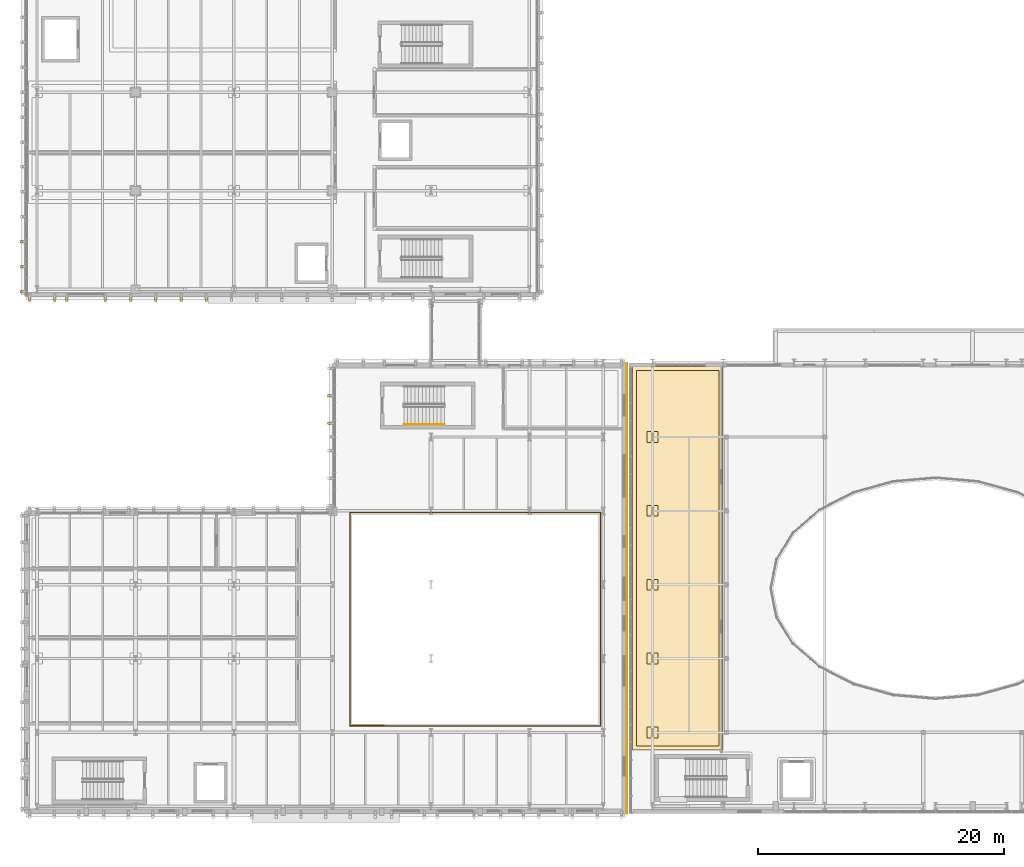
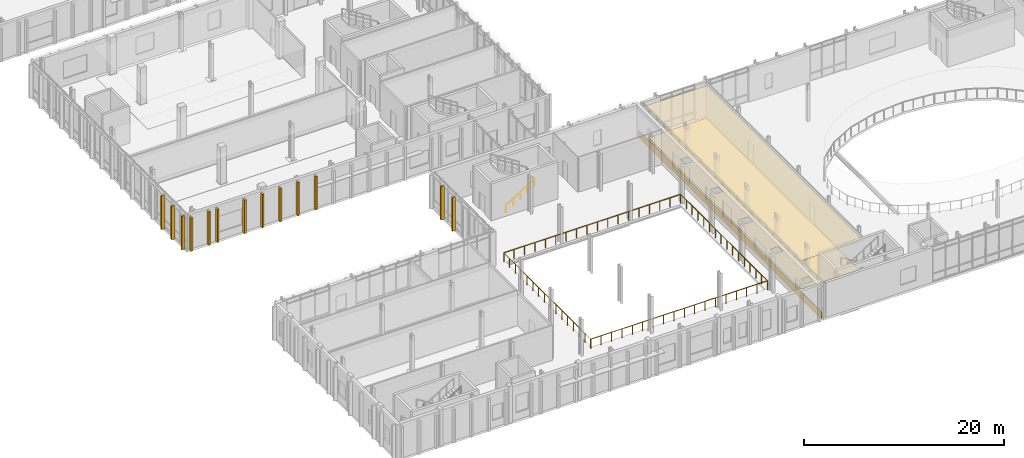
# One storey, part 82 of 100: 16 coverings, 3 railings.
"""IFC4 building model written with IfcOpenShell, lengths in metres."""

from ifc_helpers import new_model, si_unit, direction, frame, frame_2d, origin, origin_2d, place, context, subcontext, project, spatial, polyline, rectangle, circle, outline, extrude, material, layer, layer_set, type_object, element, save


model = new_model("IFC4")

# Units and contexts
model_context = context("Model", 3, precision=1e-05, world=origin(), true_north=direction((0.0, 1.0)))
body_context = subcontext(model_context, "Body", "Model", "MODEL_VIEW")
ifc_project = project(units=[si_unit("LENGTHUNIT", "METRE"), si_unit("AREAUNIT", "SQUARE_METRE"), si_unit("VOLUMEUNIT", "CUBIC_METRE"), si_unit("PLANEANGLEUNIT", "RADIAN"), si_unit("MASSUNIT", "GRAM", prefix="KILO")], contexts=[model_context])

# Site, building, storey
site_placement = place(None, origin())
site = spatial("IfcSite", under=ifc_project, at=site_placement, CompositionType="ELEMENT")
building_placement = place(site_placement, origin())
building = spatial("IfcBuilding", under=site, at=building_placement, Name="Cymarion Research Institute", CompositionType="ELEMENT")
storey_placement = place(building_placement, frame((0.0, 0.0, 4.800048828125)))
storey = spatial("IfcBuildingStorey", under=building, at=storey_placement, Name="L01", CompositionType="ELEMENT", Elevation=4.800048828125)

# Covering
ifc_material_1 = material(Name="Micro-perforated mineral acoustic ceiling tile", Category="gypsum")
ifc_layer_1 = layer(ifc_material_1, 0.030029296875)
ifc_layer_set_1 = layer_set([ifc_layer_1], Name="Micro-perforated mineral acoustic ceiling tile")
covering_type_1 = type_object("IfcCoveringType", Name="ACOUSTIC MICRO-PERFORATED SUSPENDED CEILING CLG-01", PredefinedType="CEILING", material=ifc_layer_set_1)
covering_1_placement = place(storey_placement, frame((0.0, 0.0, 3.699951171875)))
element("IfcCovering", 1, at=covering_1_placement, inside=storey, type_object=covering_type_1, Name="L01 L01 West Interdisciplinary Bioinformatics Lab & Studio acoustic ceiling", PredefinedType="CEILING", context=body_context, shape_type="SweptSolid", body=[
    extrude(outline(polyline([(62.31494140625, 41.215087890625), (62.31494140625, 10.0849609375), (54.985107421875, 10.0849609375), (54.985107421875, 41.215087890625), (62.31494140625, 41.215087890625)])), origin(), (0.0, 0.0, 1.0), 0.030029296875),
])

# Railings
ifc_material_2 = material(Name="Steel S355", Category="steel")
railing_type_1 = type_object("IfcRailingType", Name="LAMINATED GLASS AND STEEL BALUSTRADE BAL1 1120MM", PredefinedType="BALUSTRADE", material=ifc_material_2)
railing_1_placement = place(storey_placement, frame((32.02001953125, 12.02001953125, 0.0)))
element("IfcRailing", 2, at=railing_1_placement, inside=storey, type_object=railing_type_1, Name="L01 V3 Lecture Hall balcony guard 1", PredefinedType="BALUSTRADE", context=body_context, shape_type="SweptSolid", body=[
    extrude(circle(Radius=0.02392578125, at=origin_2d()), frame((0.0, 0.0, 1.09619140625), z_axis=(0.0, 1.0, 0.0), x_axis=(-1.0, 0.0, 0.0)), (0.0, 0.0, 1.0), 17.35986328125),
    extrude(circle(Radius=0.02392578125, at=origin_2d()), frame((0.0, 17.35986328125, 1.09619140625), z_axis=(1.0, 0.0, 0.0), x_axis=(0.0, 1.0, 0.0)), (0.0, 0.0, 1.0), 20.35986328125),
    extrude(circle(Radius=0.02099609375, at=origin_2d()), origin(), (0.0, 0.0, 1.0), 1.072021484375),
    extrude(circle(Radius=0.02099609375, at=origin_2d()), frame((0.0, 1.1572265625, 0.0)), (0.0, 0.0, 1.0), 1.072021484375),
    extrude(circle(Radius=0.02099609375, at=origin_2d()), frame((0.0, 2.314697265625, 0.0)), (0.0, 0.0, 1.0), 1.072021484375),
    extrude(circle(Radius=0.02099609375, at=origin_2d()), frame((0.0, 3.471923828125, 0.0)), (0.0, 0.0, 1.0), 1.072021484375),
    extrude(circle(Radius=0.02099609375, at=origin_2d()), frame((0.0, 4.62939453125, 0.0)), (0.0, 0.0, 1.0), 1.072021484375),
    extrude(circle(Radius=0.02099609375, at=origin_2d()), frame((0.0, 5.78662109375, 0.0)), (0.0, 0.0, 1.0), 1.072021484375),
    extrude(circle(Radius=0.02099609375, at=origin_2d()), frame((0.0, 6.94384765625, 0.0)), (0.0, 0.0, 1.0), 1.072021484375),
    extrude(circle(Radius=0.02099609375, at=origin_2d()), frame((0.0, 8.101318359375, 0.0)), (0.0, 0.0, 1.0), 1.072021484375),
    extrude(circle(Radius=0.02099609375, at=origin_2d()), frame((0.0, 9.258544921875, 0.0)), (0.0, 0.0, 1.0), 1.072021484375),
    extrude(circle(Radius=0.02099609375, at=origin_2d()), frame((0.0, 10.416015625, 0.0)), (0.0, 0.0, 1.0), 1.072021484375),
    extrude(circle(Radius=0.02099609375, at=origin_2d()), frame((0.0, 11.5732421875, 0.0)), (0.0, 0.0, 1.0), 1.072021484375),
    extrude(circle(Radius=0.02099609375, at=origin_2d()), frame((0.0, 12.73046875, 0.0)), (0.0, 0.0, 1.0), 1.072021484375),
    extrude(circle(Radius=0.02099609375, at=origin_2d()), frame((0.0, 13.887939453125, 0.0)), (0.0, 0.0, 1.0), 1.072021484375),
    extrude(circle(Radius=0.02099609375, at=origin_2d()), frame((0.0, 15.045166015625, 0.0)), (0.0, 0.0, 1.0), 1.072021484375),
    extrude(circle(Radius=0.02099609375, at=origin_2d()), frame((0.0, 16.20263671875, 0.0)), (0.0, 0.0, 1.0), 1.072021484375),
    extrude(circle(Radius=0.02099609375, at=origin_2d()), frame((0.0, 17.35986328125, 0.0)), (0.0, 0.0, 1.0), 1.072021484375),
    extrude(circle(Radius=0.02099609375, at=origin_2d()), frame((1.19775390625, 17.35986328125, 0.0)), (0.0, 0.0, 1.0), 1.072021484375),
    extrude(circle(Radius=0.02099609375, at=origin_2d()), frame((2.395263671875, 17.35986328125, 0.0)), (0.0, 0.0, 1.0), 1.072021484375),
    extrude(circle(Radius=0.02099609375, at=origin_2d()), frame((3.593017578125, 17.35986328125, 0.0)), (0.0, 0.0, 1.0), 1.072021484375),
    extrude(circle(Radius=0.02099609375, at=origin_2d()), frame((4.79052734375, 17.35986328125, 0.0)), (0.0, 0.0, 1.0), 1.072021484375),
    extrude(circle(Radius=0.02099609375, at=origin_2d()), frame((5.98828125, 17.35986328125, 0.0)), (0.0, 0.0, 1.0), 1.072021484375),
    extrude(circle(Radius=0.02099609375, at=origin_2d()), frame((7.185791015625, 17.35986328125, 0.0)), (0.0, 0.0, 1.0), 1.072021484375),
    extrude(circle(Radius=0.02099609375, at=origin_2d()), frame((8.383544921875, 17.35986328125, 0.0)), (0.0, 0.0, 1.0), 1.072021484375),
    extrude(circle(Radius=0.02099609375, at=origin_2d()), frame((9.5810546875, 17.35986328125, 0.0)), (0.0, 0.0, 1.0), 1.072021484375),
    extrude(circle(Radius=0.02099609375, at=origin_2d()), frame((10.77880859375, 17.35986328125, 0.0)), (0.0, 0.0, 1.0), 1.072021484375),
    extrude(circle(Radius=0.02099609375, at=origin_2d()), frame((11.976318359375, 17.35986328125, 0.0)), (0.0, 0.0, 1.0), 1.072021484375),
    extrude(circle(Radius=0.02099609375, at=origin_2d()), frame((13.174072265625, 17.35986328125, 0.0)), (0.0, 0.0, 1.0), 1.072021484375),
    extrude(circle(Radius=0.02099609375, at=origin_2d()), frame((14.37158203125, 17.35986328125, 0.0)), (0.0, 0.0, 1.0), 1.072021484375),
    extrude(circle(Radius=0.02099609375, at=origin_2d()), frame((15.5693359375, 17.35986328125, 0.0)), (0.0, 0.0, 1.0), 1.072021484375),
    extrude(circle(Radius=0.02099609375, at=origin_2d()), frame((16.766845703125, 17.35986328125, 0.0)), (0.0, 0.0, 1.0), 1.072021484375),
    extrude(circle(Radius=0.02099609375, at=origin_2d()), frame((17.964599609375, 17.35986328125, 0.0)), (0.0, 0.0, 1.0), 1.072021484375),
    extrude(circle(Radius=0.02099609375, at=origin_2d()), frame((19.162109375, 17.35986328125, 0.0)), (0.0, 0.0, 1.0), 1.072021484375),
    extrude(circle(Radius=0.02099609375, at=origin_2d()), frame((20.35986328125, 17.35986328125, 0.0)), (0.0, 0.0, 1.0), 1.072021484375),
])
railing_2_placement = place(storey_placement, frame((52.3798828125, 29.3798828125, 0.0)))
element("IfcRailing", 3, at=railing_2_placement, inside=storey, type_object=railing_type_1, Name="L01 V3 Lecture Hall balcony guard 2", PredefinedType="BALUSTRADE", context=body_context, shape_type="SweptSolid", body=[
    extrude(circle(Radius=0.02392578125, at=origin_2d()), frame((0.0, 0.0, 1.09619140625), z_axis=(0.0, -1.0, 0.0), x_axis=(1.0, 0.0, 0.0)), (0.0, 0.0, 1.0), 17.35986328125),
    extrude(circle(Radius=0.02392578125, at=origin_2d()), frame((0.0, -17.35986328125, 1.09619140625), z_axis=(-0.999999516576, 0.000983283694, 0.0), x_axis=(-0.000983283694, -0.999999516576, 0.0)), (0.0, 0.0, 1.0), 20.35986328125),
    extrude(circle(Radius=0.02099609375, at=origin_2d()), origin(), (0.0, 0.0, 1.0), 1.072021484375),
    extrude(circle(Radius=0.02099609375, at=origin_2d()), frame((0.0, -1.1572265625, 0.0)), (0.0, 0.0, 1.0), 1.072021484375),
    extrude(circle(Radius=0.02099609375, at=origin_2d()), frame((0.0, -2.314697265625, 0.0)), (0.0, 0.0, 1.0), 1.072021484375),
    extrude(circle(Radius=0.02099609375, at=origin_2d()), frame((0.0, -3.471923828125, 0.0)), (0.0, 0.0, 1.0), 1.072021484375),
    extrude(circle(Radius=0.02099609375, at=origin_2d()), frame((0.0, -4.62939453125, 0.0)), (0.0, 0.0, 1.0), 1.072021484375),
    extrude(circle(Radius=0.02099609375, at=origin_2d()), frame((0.0, -5.78662109375, 0.0)), (0.0, 0.0, 1.0), 1.072021484375),
    extrude(circle(Radius=0.02099609375, at=origin_2d()), frame((0.0, -6.94384765625, 0.0)), (0.0, 0.0, 1.0), 1.072021484375),
    extrude(circle(Radius=0.02099609375, at=origin_2d()), frame((0.0, -8.101318359375, 0.0)), (0.0, 0.0, 1.0), 1.072021484375),
    extrude(circle(Radius=0.02099609375, at=origin_2d()), frame((0.0, -9.258544921875, 0.0)), (0.0, 0.0, 1.0), 1.072021484375),
    extrude(circle(Radius=0.02099609375, at=origin_2d()), frame((0.0, -10.416015625, 0.0)), (0.0, 0.0, 1.0), 1.072021484375),
    extrude(circle(Radius=0.02099609375, at=origin_2d()), frame((0.0, -11.5732421875, 0.0)), (0.0, 0.0, 1.0), 1.072021484375),
    extrude(circle(Radius=0.02099609375, at=origin_2d()), frame((0.0, -12.73046875, 0.0)), (0.0, 0.0, 1.0), 1.072021484375),
    extrude(circle(Radius=0.02099609375, at=origin_2d()), frame((0.0, -13.887939453125, 0.0)), (0.0, 0.0, 1.0), 1.072021484375),
    extrude(circle(Radius=0.02099609375, at=origin_2d()), frame((0.0, -15.045166015625, 0.0)), (0.0, 0.0, 1.0), 1.072021484375),
    extrude(circle(Radius=0.02099609375, at=origin_2d()), frame((0.0, -16.20263671875, 0.0)), (0.0, 0.0, 1.0), 1.072021484375),
    extrude(circle(Radius=0.02099609375, at=origin_2d()), frame((0.0, -17.35986328125, 0.0)), (0.0, 0.0, 1.0), 1.072021484375),
    extrude(circle(Radius=0.02099609375, at=origin_2d()), frame((-1.19775390625, -17.358642578125, 0.0)), (0.0, 0.0, 1.0), 1.072021484375),
    extrude(circle(Radius=0.02099609375, at=origin_2d()), frame((-2.395263671875, -17.357421875, 0.0)), (0.0, 0.0, 1.0), 1.072021484375),
    extrude(circle(Radius=0.02099609375, at=origin_2d()), frame((-3.593017578125, -17.3564453125, 0.0)), (0.0, 0.0, 1.0), 1.072021484375),
    extrude(circle(Radius=0.02099609375, at=origin_2d()), frame((-4.79052734375, -17.355224609375, 0.0)), (0.0, 0.0, 1.0), 1.072021484375),
    extrude(circle(Radius=0.02099609375, at=origin_2d()), frame((-5.98828125, -17.35400390625, 0.0)), (0.0, 0.0, 1.0), 1.072021484375),
    extrude(circle(Radius=0.02099609375, at=origin_2d()), frame((-7.185791015625, -17.352783203125, 0.0)), (0.0, 0.0, 1.0), 1.072021484375),
    extrude(circle(Radius=0.02099609375, at=origin_2d()), frame((-8.383544921875, -17.3515625, 0.0)), (0.0, 0.0, 1.0), 1.072021484375),
    extrude(circle(Radius=0.02099609375, at=origin_2d()), frame((-9.5810546875, -17.350341796875, 0.0)), (0.0, 0.0, 1.0), 1.072021484375),
    extrude(circle(Radius=0.02099609375, at=origin_2d()), frame((-10.77880859375, -17.349365234375, 0.0)), (0.0, 0.0, 1.0), 1.072021484375),
    extrude(circle(Radius=0.02099609375, at=origin_2d()), frame((-11.976318359375, -17.34814453125, 0.0)), (0.0, 0.0, 1.0), 1.072021484375),
    extrude(circle(Radius=0.02099609375, at=origin_2d()), frame((-13.174072265625, -17.346923828125, 0.0)), (0.0, 0.0, 1.0), 1.072021484375),
    extrude(circle(Radius=0.02099609375, at=origin_2d()), frame((-14.37158203125, -17.345703125, 0.0)), (0.0, 0.0, 1.0), 1.072021484375),
    extrude(circle(Radius=0.02099609375, at=origin_2d()), frame((-15.5693359375, -17.344482421875, 0.0)), (0.0, 0.0, 1.0), 1.072021484375),
    extrude(circle(Radius=0.02099609375, at=origin_2d()), frame((-16.766845703125, -17.34326171875, 0.0)), (0.0, 0.0, 1.0), 1.072021484375),
    extrude(circle(Radius=0.02099609375, at=origin_2d()), frame((-17.964599609375, -17.34228515625, 0.0)), (0.0, 0.0, 1.0), 1.072021484375),
    extrude(circle(Radius=0.02099609375, at=origin_2d()), frame((-19.162109375, -17.341064453125, 0.0)), (0.0, 0.0, 1.0), 1.072021484375),
    extrude(circle(Radius=0.02099609375, at=origin_2d()), frame((-20.35986328125, -17.33984375, 0.0)), (0.0, 0.0, 1.0), 1.072021484375),
])

# Coverings
ifc_material_3 = material(Name="Precast concrete C45/55 architectural white", Category="concrete")
ifc_layer_2 = layer(ifc_material_3, 0.199951171875)
ifc_layer_set_2 = layer_set([ifc_layer_2], Name="Precast concrete C45/55 architectural white")
covering_type_2 = type_object("IfcCoveringType", Name="SCULPTURAL WHITE PRECAST CONCRETE VERTICAL RIB RIB1 380X200", PredefinedType="CLADDING", material=ifc_layer_set_2)
for number, where, z_axis, x_axis, name in (
    (4, (30.407958984375, 38.860107421875, 0.009765625), (0.0, 0.0, 1.0), (-1.0, 0.0, 0.0), "L01 V3 sculptural precast vertical rib RIB1 #257"),
    (5, (30.407958984375, 36.6201171875, 0.009765625), (0.0, 0.0, 1.0), (-1.0, 0.0, 0.0), "L01 V3 sculptural precast vertical rib RIB1 #258"),
    (6, (6.0, 46.7080078125, 0.009765625), (0.0, 0.0, 1.0), (0.0, -1.0, 0.0), "L01 V4 sculptural precast vertical rib RIB1 #290"),
    (7, (8.050048828125, 46.7080078125, 0.009765625), (0.0, 0.0, 1.0), (0.0, -1.0, 0.0), "L01 V4 sculptural precast vertical rib RIB1 #291"),
    (8, (9.014892578125, 46.7080078125, 0.009765625), (0.0, 0.0, 1.0), (0.0, -1.0, 0.0), "L01 V4 sculptural precast vertical rib RIB1 #292"),
    (9, (12.14990234375, 46.7080078125, 0.009765625), (0.0, 0.0, 1.0), (0.0, -1.0, 0.0), "L01 V4 sculptural precast vertical rib RIB1 #293"),
    (10, (14.199951171875, 46.7080078125, 0.009765625), (0.0, 0.0, 1.0), (0.0, -1.0, 0.0), "L01 V4 sculptural precast vertical rib RIB1 #294"),
    (11, (16.25, 46.7080078125, 0.009765625), (0.0, 0.0, 1.0), (0.0, -1.0, 0.0), "L01 V4 sculptural precast vertical rib RIB1 #295"),
    (12, (18.300048828125, 46.7080078125, 0.009765625), (0.0, 0.0, 1.0), (0.0, -1.0, 0.0), "L01 V4 sculptural precast vertical rib RIB1 #296"),
    (13, (20.35009765625, 46.7080078125, 0.009765625), (0.0, 0.0, 1.0), (0.0, -1.0, 0.0), "L01 V4 sculptural precast vertical rib RIB1 #297"),
    (14, (5.407958984375, 51.353271484375, 0.009765625), (0.0, 0.0, 1.0), (-1.0, 0.0, 0.0), "L01 V4 sculptural precast vertical rib RIB1 #362"),
    (15, (5.407958984375, 49.32666015625, 0.009765625), (0.0, 0.0, 1.0), (-1.0, 0.0, 0.0), "L01 V4 sculptural precast vertical rib RIB1 #363"),
    (16, (5.407958984375, 47.300048828125, 0.009765625), (0.0, 0.0, 1.0), (-1.0, 0.0, 0.0), "L01 V4 sculptural precast vertical rib RIB1 #364"),
):
    element("IfcCovering", number, at=place(storey_placement, frame(where, z_axis=z_axis, x_axis=x_axis)), inside=storey, type_object=covering_type_2, Name=name, PredefinedType="CLADDING", context=body_context, shape_type="SweptSolid", body=[
        extrude(rectangle(XDim=0.3798828125, YDim=0.199951171875, at=origin_2d()), origin(), (0.0, 0.0, 1.0), 4.074951171875),
    ])
ifc_material_4 = material(Name="Seamless dissipative epoxy resin flooring", Category="resin")
ifc_layer_3 = layer(ifc_material_4, 0.02001953125)
ifc_layer_set_3 = layer_set([ifc_layer_3], Name="Seamless dissipative epoxy resin flooring")
covering_type_3 = type_object("IfcCoveringType", Name="SEAMLESS ESD EPOXY LABORATORY FLOORING FLR-01", PredefinedType="FLOORING", material=ifc_layer_set_3)
covering_2_placement = place(storey_placement, origin())
element("IfcCovering", 17, at=covering_2_placement, inside=storey, type_object=covering_type_3, Name="L01 L01 West Interdisciplinary Bioinformatics Lab & Studio ESD epoxy flooring", PredefinedType="FLOORING", context=body_context, shape_type="SweptSolid", body=[
    extrude(outline(polyline([(55.284912109375, 40.9150390625), (62.014892578125, 40.9150390625), (62.014892578125, 10.385009765625), (55.284912109375, 10.385009765625), (55.284912109375, 40.9150390625)]), holes=[polyline([(57.034912109375, 11.93505859375), (56.1650390625, 11.93505859375), (56.1650390625, 11.06494140625), (57.034912109375, 11.06494140625), (57.034912109375, 11.93505859375)]), polyline([(57.034912109375, 17.93505859375), (56.1650390625, 17.93505859375), (56.1650390625, 17.06494140625), (57.034912109375, 17.06494140625), (57.034912109375, 17.93505859375)]), polyline([(57.034912109375, 23.93505859375), (56.1650390625, 23.93505859375), (56.1650390625, 23.06494140625), (57.034912109375, 23.06494140625), (57.034912109375, 23.93505859375)]), polyline([(57.034912109375, 29.93505859375), (56.1650390625, 29.93505859375), (56.1650390625, 29.06494140625), (57.034912109375, 29.06494140625), (57.034912109375, 29.93505859375)]), polyline([(57.034912109375, 35.93505859375), (56.1650390625, 35.93505859375), (56.1650390625, 35.06494140625), (57.034912109375, 35.06494140625), (57.034912109375, 35.93505859375)])]), origin(), (0.0, 0.0, 1.0), 0.02001953125),
])

# Railing
railing_type_2 = type_object("IfcRailingType", Name="STAINLESS STEEL STAIR HANDRAIL HR1 900MM", PredefinedType="HANDRAIL", material=ifc_material_2)
railing_3_placement = place(storey_placement, frame((36.39990234375, 36.5, 0.1875)))
element("IfcRailing", 18, at=railing_3_placement, inside=storey, type_object=railing_type_2, Name="L01 ST6 stair handrail 1", PredefinedType="HANDRAIL", context=body_context, shape_type="SweptSolid", body=[
    extrude(circle(Radius=0.02392578125, at=origin_2d()), frame((0.0, 0.0, 0.8759765625), z_axis=(0.848001828478, 0.0, 0.529993300805), x_axis=(0.0, 1.0, 0.0)), (0.0, 0.0, 1.0), 3.8916015625),
    extrude(circle(Radius=0.02099609375, at=origin_2d()), origin(), (0.0, 0.0, 1.0), 0.851806640625),
    extrude(circle(Radius=0.02099609375, at=origin_2d()), frame((0.824951171875, 0.0, 0.515625)), (0.0, 0.0, 1.0), 0.851806640625),
    extrude(circle(Radius=0.02099609375, at=origin_2d()), frame((1.64990234375, 0.0, 1.03125)), (0.0, 0.0, 1.0), 0.851806640625),
    extrude(circle(Radius=0.02099609375, at=origin_2d()), frame((2.47509765625, 0.0, 1.546875)), (0.0, 0.0, 1.0), 0.851806640625),
    extrude(circle(Radius=0.02099609375, at=origin_2d()), frame((3.300048828125, 0.0, 2.0625)), (0.0, 0.0, 1.0), 0.851806640625),
])

# Covering
ifc_material_5 = material(Name="Campanian volcanic piperno stone rainscreen", Category="masonry")
ifc_layer_4 = layer(ifc_material_5, 0.050048828125)
ifc_layer_set_4 = layer_set([ifc_layer_4], Name="Campanian volcanic piperno stone rainscreen")
covering_type_4 = type_object("IfcCoveringType", Name="VENTILATED TUFF STONE SPANDREL CLADDING COV-CL01", PredefinedType="CLADDING", material=ifc_layer_set_4)
covering_3_placement = place(storey_placement, frame((54.52490234375, 4.89990234375, 0.0), z_axis=(0.0, 0.0, 1.0), x_axis=(0.0, 1.0, 0.0)))
element("IfcCovering", 19, at=covering_3_placement, inside=storey, type_object=covering_type_4, Name="L01 V3 volcanic piperno stone spandrel cladding #8", PredefinedType="CLADDING", context=body_context, shape_type="SweptSolid", body=[
    extrude(rectangle(XDim=36.60009765625, YDim=0.050048828125, at=frame_2d((18.300048828125, 0.0))), origin(), (0.0, 0.0, 1.0), 0.85986328125),
])

save(model, "model.ifc")
